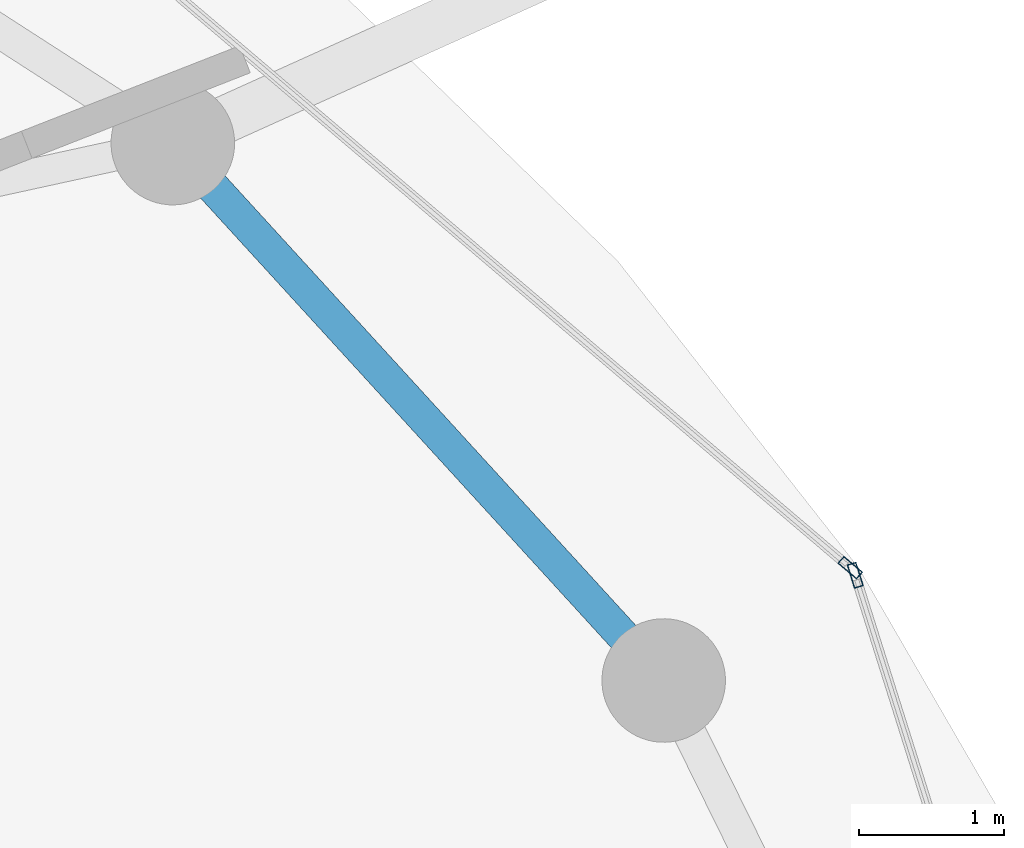
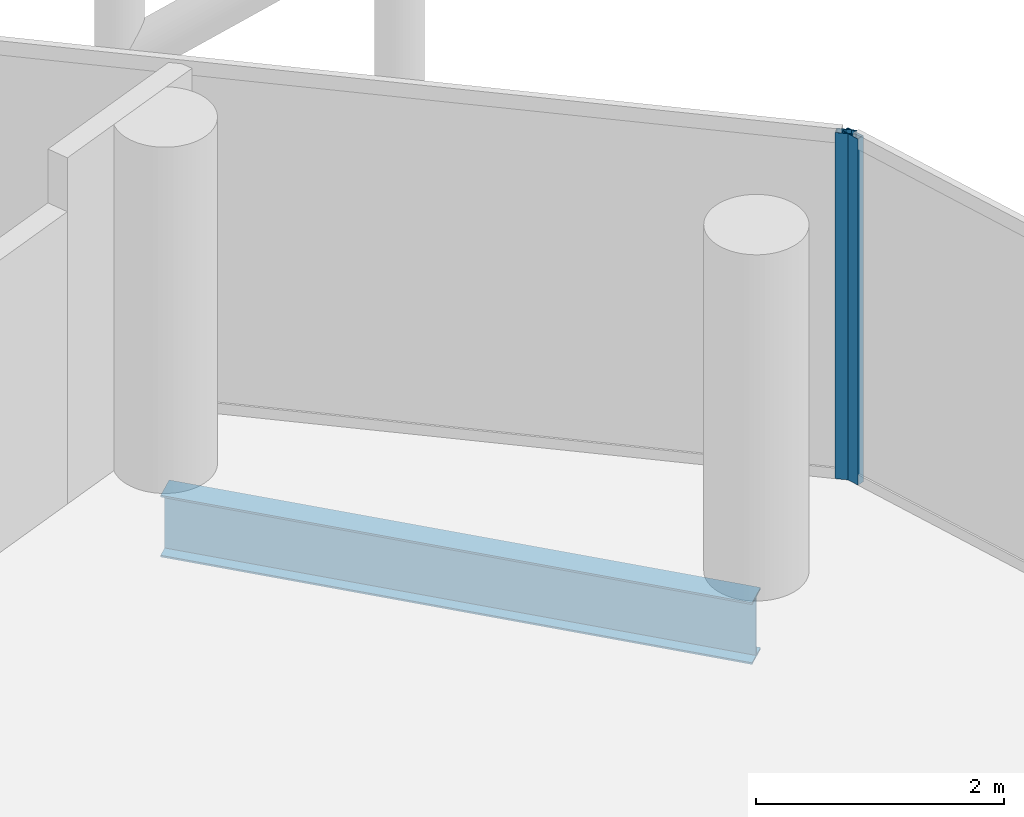
# One storey, part 17 of 27: 2 members, 1 beam, 2 elements without a shape of their own.
"""IFC4 building model written with IfcOpenShell, lengths in metres."""

from ifc_helpers import new_model, si_unit, direction, frame, origin, origin_2d, place, context, subcontext, project, spatial, hollow_rectangle, i_section, extrude, material, layer, layer_set, material_profile, profile_set, type_object, element, aggregate, save


model = new_model("IFC4")

# Units and contexts
model_context = context("Model", 3, precision=1e-05, world=origin(), true_north=direction((0.0, 1.0)))
body_context = subcontext(model_context, "Body", "Model", "MODEL_VIEW")
ifc_project = project(units=[si_unit("LENGTHUNIT", "METRE"), si_unit("AREAUNIT", "SQUARE_METRE"), si_unit("VOLUMEUNIT", "CUBIC_METRE"), si_unit("PLANEANGLEUNIT", "RADIAN"), si_unit("MASSUNIT", "GRAM", prefix="KILO")], contexts=[model_context])

# Site, building, storey
site_placement = place(None, origin())
site = spatial("IfcSite", under=ifc_project, at=site_placement, CompositionType="ELEMENT")
building_placement = place(site_placement, origin())
building = spatial("IfcBuilding", under=site, at=building_placement, Name="Nuhasar Tower", CompositionType="ELEMENT")
storey_placement = place(building_placement, frame((0.0, 0.0, 244.64990234375)))
storey = spatial("IfcBuildingStorey", under=building, at=storey_placement, Name="L60", CompositionType="ELEMENT", Elevation=244.64990234375)

# Beam
ifc_material_1 = material(Name="Steel S355", Category="steel")
ifc_material_profile_1 = material_profile(ifc_material_1, i_section(OverallWidth=0.22802734375, OverallDepth=0.60791015625, WebThickness=0.01123046875, FlangeThickness=0.017333984375, at=origin_2d()), Name="W24X76")
ifc_profile_set_1 = profile_set([ifc_material_profile_1], Name="Steel S355")
beam_type = type_object("IfcBeamType", Name="BM-RING-W24X76", PredefinedType="SPANDREL", material=ifc_profile_set_1)
beam_placement = place(storey_placement, frame((57.403076171875, 35.72509765625, -0.5439453125), z_axis=(-0.674449692975, 0.738320805373, 0.0), x_axis=(-0.738320805373, -0.674449692975, 0.0)))
element("IfcBeam", 1, at=beam_placement, inside=storey, type_object=beam_type, Name="L60 Perimeter Ring Spandrel 03", PredefinedType="SPANDREL", context=body_context, shape_type="SweptSolid", body=[
    extrude(i_section(OverallWidth=0.22802734375, OverallDepth=0.60791015625, WebThickness=0.01123046875, FlangeThickness=0.017333984375, at=origin_2d()), origin(), (0.0, 0.0, 1.0), 5.00732421875),
])

# Curtain wall, member
ifc_material_2 = material(Name="Aluminium 6063-T6", Category="aluminium")
ifc_layer = layer(ifc_material_2, 0.18994140625)
ifc_layer_set = layer_set([ifc_layer], Name="Aluminium 6063-T6")
curtain_wall_type = type_object("IfcCurtainWallType", Name="CW-Z3-RES", PredefinedType="NOTDEFINED", material=ifc_layer_set)
curtain_wall_1_placement = place(storey_placement, origin())
curtain_wall_1 = element("IfcCurtainWall", 2, at=curtain_wall_1_placement, inside=storey, type_object=curtain_wall_type, Name="L60 Unitised Curtain Wall 01", PredefinedType="NOTDEFINED")
ifc_material_profile_2 = material_profile(ifc_material_2, hollow_rectangle(XDim=0.06494140625, YDim=0.169921875, WallThickness=0.0048828125, at=origin_2d()), Name="CWM-4")
ifc_profile_set_2 = profile_set([ifc_material_profile_2], Name="Aluminium 6063-T6")
member_type = type_object("IfcMemberType", Name="CW-MUL-S4", PredefinedType="MULLION", material=ifc_profile_set_2)
member_1_placement = place(storey_placement, frame((58.720703125, 36.448974609375, 0.0), z_axis=(0.0, 0.0, 1.0), x_axis=(-0.95380429279, -0.30042864553, 0.0)))
member_1 = element("IfcMember", 3, at=member_1_placement, type_object=member_type, Name="CW-Z3 mullion 2", PredefinedType="MULLION", context=body_context, shape_type="SweptSolid", body=[
    extrude(hollow_rectangle(XDim=0.06494140625, YDim=0.169921875, WallThickness=0.0048828125, at=origin_2d()), origin(), (0.0, 0.0, 1.0), 3.41015625),
])
aggregate(curtain_wall_1, [member_1])

curtain_wall_2_placement = place(storey_placement, origin())
curtain_wall_2 = element("IfcCurtainWall", 4, at=curtain_wall_2_placement, inside=storey, type_object=curtain_wall_type, Name="L60 Unitised Curtain Wall 02", PredefinedType="NOTDEFINED")
member_2_placement = place(storey_placement, frame((58.686279296875, 36.5009765625, 0.0), z_axis=(0.0, 0.0, 1.0), x_axis=(-0.64789521578, -0.761729472562, 0.0)))
member_2 = element("IfcMember", 5, at=member_2_placement, type_object=member_type, Name="CW-Z3 mullion 1", PredefinedType="MULLION", context=body_context, shape_type="SweptSolid", body=[
    extrude(hollow_rectangle(XDim=0.06494140625, YDim=0.169921875, WallThickness=0.0048828125, at=origin_2d()), origin(), (0.0, 0.0, 1.0), 3.41015625),
])
aggregate(curtain_wall_2, [member_2])

save(model, "model.ifc")
